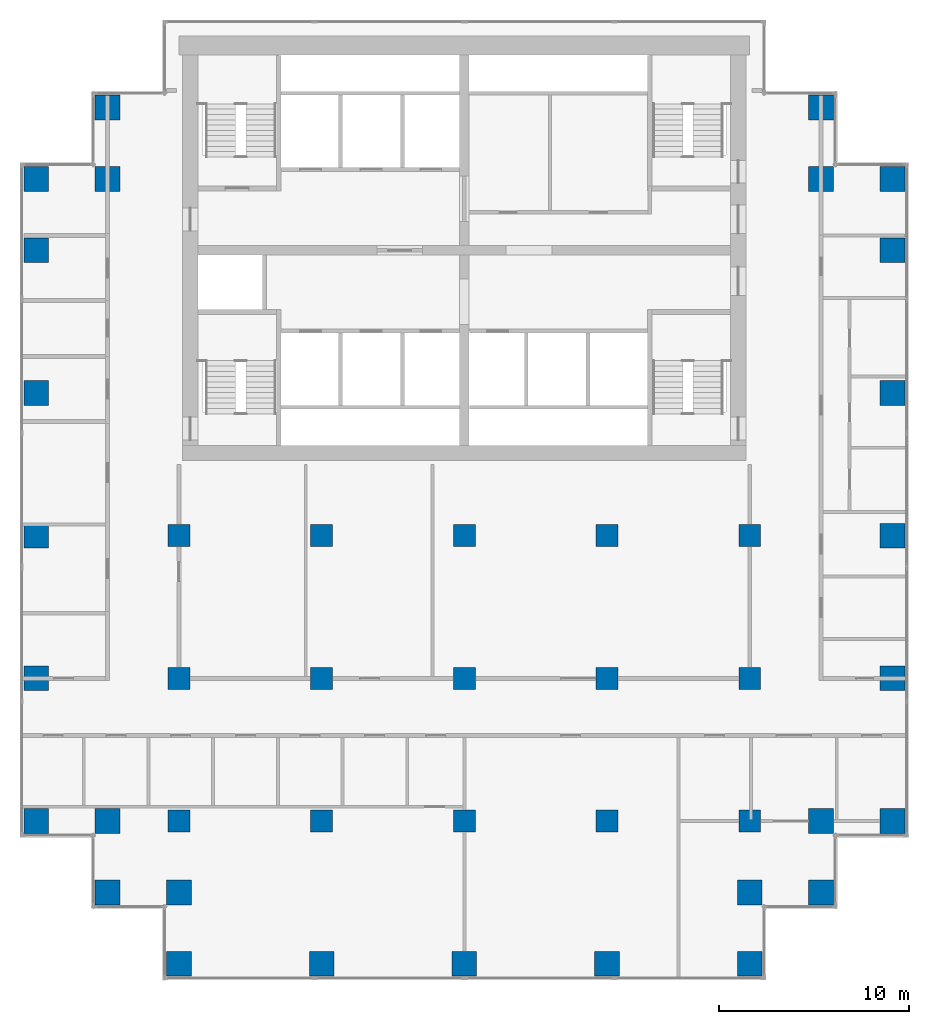
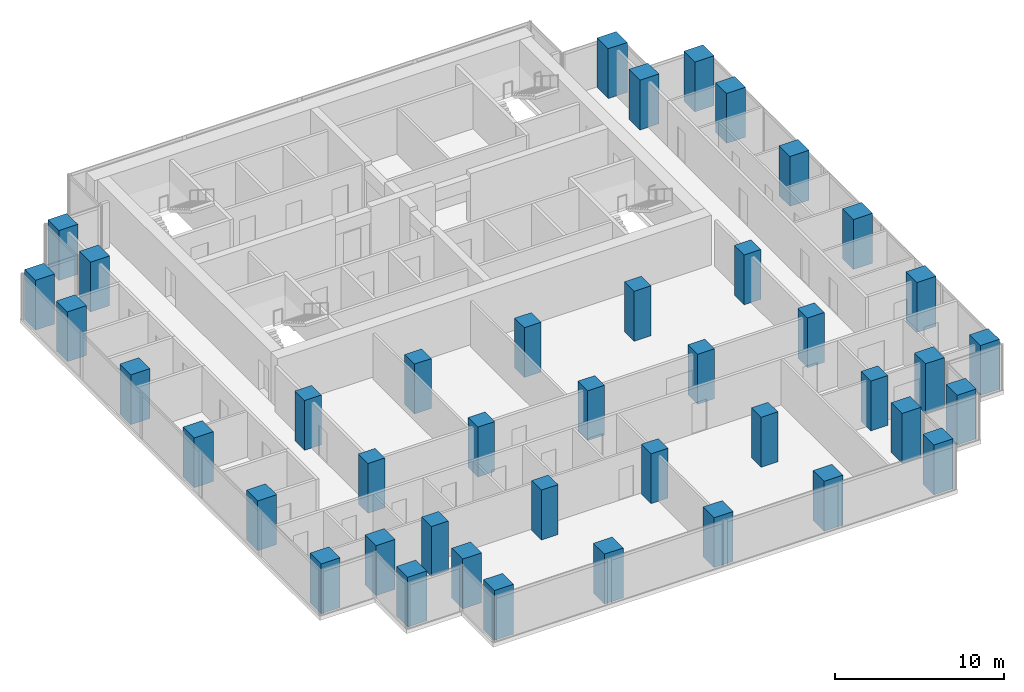
# One storey, part 1 of 11: 42 columns.
"""IFC4 building model written with IfcOpenShell, lengths in metres."""

import ifcopenshell
import ifcopenshell.guid

model = None  # the IFC model being written
_history = None  # IfcOwnerHistory: only IFC2X3 demands one
_inside = {}  # id of a spatial element -> (the spatial element, [elements in it])
_under = {}  # id of a project, library or spatial element -> (it, [spatial elements below it])
_declared = {}  # id of a project -> (the project, [libraries it declares])
_typed = {}  # id of a type object -> (the type object, [elements of that type])
_made_of = {}  # id of a material, layer set ... -> (it, [elements and type objects made of it])


def new_model(schema):
    """Start an empty IFC model of exactly this schema.

    Asked for "IFC4X3", IfcOpenShell would pick the latest addendum, in which some entities
    have other attributes; the version numbers below select the first issue.
    IFC2X3 requires an IfcOwnerHistory on every rooted entity: one is made here for all.
    """
    global model, _history
    if schema == "IFC4X3":
        model = ifcopenshell.file(schema_version=(4, 3, 0, 0))
    else:
        model = ifcopenshell.file(schema=schema)
    _inside.clear()
    _under.clear()
    _declared.clear()
    _typed.clear()
    _made_of.clear()
    _history = None
    if model.schema == "IFC2X3":
        org = make("IfcOrganization", Name="unknown")
        user = make(
            "IfcPersonAndOrganization",
            ThePerson=make("IfcPerson", FamilyName="unknown"),
            TheOrganization=org,
        )
        app = make(
            "IfcApplication",
            ApplicationDeveloper=org,
            Version="unknown",
            ApplicationFullName="unknown",
            ApplicationIdentifier="unknown",
        )
        _history = make(
            "IfcOwnerHistory",
            OwningUser=user,
            OwningApplication=app,
            ChangeAction="ADDED",
            CreationDate=0,
        )
    return model


def make(cls, **values):
    """One entity of the class cls with the attributes given. An attribute that is None is left unset."""
    return model.create_entity(
        cls, **{name: value for name, value in values.items() if value is not None}
    )


def rooted(cls, **values):
    """An entity with a GlobalId (a new one), such as an element, a storey or a relation."""
    return make(cls, GlobalId=ifcopenshell.guid.new(), OwnerHistory=_history, **values)


def si_unit(unit_type, name, prefix=None):
    """IfcSIUnit, for example si_unit("LENGTHUNIT", "METRE", prefix="MILLI")."""
    return make("IfcSIUnit", UnitType=unit_type, Prefix=prefix, Name=name)


def assignment(units):
    """IfcUnitAssignment: the units of a project."""
    return None if units is None else make("IfcUnitAssignment", Units=units)


def point(xyz):
    """IfcCartesianPoint."""
    return None if xyz is None else make("IfcCartesianPoint", Coordinates=xyz)


def direction(xyz):
    """IfcDirection."""
    return None if xyz is None else make("IfcDirection", DirectionRatios=xyz)


def frame(location, z_axis=None, x_axis=None):
    """IfcAxis2Placement3D, a coordinate frame: its origin and axes. An axis left out is left unset."""
    return make(
        "IfcAxis2Placement3D",
        Location=point(location),
        Axis=direction(z_axis),
        RefDirection=direction(x_axis),
    )


def frame_2d(location, x_axis=None):
    """IfcAxis2Placement2D, a coordinate frame in the plane: its origin and x axis."""
    return make(
        "IfcAxis2Placement2D", Location=point(location), RefDirection=direction(x_axis)
    )


def origin():
    """The frame at (0, 0, 0) with its axes left unset."""
    return frame((0.0, 0.0, 0.0))


def origin_2d():
    """The frame at (0, 0) in the plane with its x axis left unset."""
    return frame_2d((0.0, 0.0))


def place(relative_to, where):
    """IfcLocalPlacement: puts the frame where relative to a parent placement (None: the world)."""
    return make(
        "IfcLocalPlacement", PlacementRelTo=relative_to, RelativePlacement=where
    )


def context(
    kind, dimensions, precision=None, world=None, true_north=None, identifier=None
):
    """IfcGeometricRepresentationContext, for example the 3D "Model" context."""
    return make(
        "IfcGeometricRepresentationContext",
        ContextIdentifier=identifier,
        ContextType=kind,
        CoordinateSpaceDimension=dimensions,
        Precision=precision,
        WorldCoordinateSystem=world,
        TrueNorth=true_north,
    )


def subcontext(parent, identifier, kind, view, scale=None):
    """IfcGeometricRepresentationSubContext, for example "Body" below "Model"."""
    return make(
        "IfcGeometricRepresentationSubContext",
        ContextIdentifier=identifier,
        ContextType=kind,
        ParentContext=parent,
        TargetScale=scale,
        TargetView=view,
    )


def project(units=None, contexts=None):
    """IfcProject with its units and contexts."""
    return rooted(
        "IfcProject",
        Name="project",
        RepresentationContexts=contexts,
        UnitsInContext=assignment(units),
    )


def spatial(cls, under=None, at=None, **own):
    """A site, building, storey or space (cls), placed at a placement, below another one or the project."""
    s = rooted(cls, ObjectPlacement=at, **own)
    if under is not None:
        _under.setdefault(under.id(), (under, []))[1].append(s)
    return s


def profile(cls, at=None, kind="AREA", **sizes):
    """A parametric profile (cls). Its sizes go by their IFC names, for example OverallWidth=200.0."""
    return make(cls, ProfileType=kind, Position=at, **sizes)


def rectangle(**sizes):
    """IfcRectangleProfileDef."""
    return profile("IfcRectangleProfileDef", **sizes)


def extrude(swept, where, along, depth):
    """IfcExtrudedAreaSolid: the profile swept, set in the frame where, extruded along a direction by depth."""
    return make(
        "IfcExtrudedAreaSolid",
        SweptArea=swept,
        Position=where,
        ExtrudedDirection=direction(along),
        Depth=depth,
    )


def shape(context_of_items, identifier, shape_type, items):
    """IfcShapeRepresentation: the items that make up one representation, for example the "Body"."""
    return make(
        "IfcShapeRepresentation",
        ContextOfItems=context_of_items,
        RepresentationIdentifier=identifier,
        RepresentationType=shape_type,
        Items=items,
    )


def material(Name=None, Category=None):
    """IfcMaterial."""
    return make("IfcMaterial", Name=Name, Category=Category)


def material_profile(
    of_material, cross_section, Name=None, Category=None, Priority=None
):
    """IfcMaterialProfile: a cross section and its material."""
    return make(
        "IfcMaterialProfile",
        Name=Name,
        Material=of_material,
        Profile=cross_section,
        Priority=Priority,
        Category=Category,
    )


def profile_set(profiles, Name=None, composite=None):
    """IfcMaterialProfileSet."""
    return make(
        "IfcMaterialProfileSet",
        Name=Name,
        MaterialProfiles=profiles,
        CompositeProfile=composite,
    )


def made_of(thing, what):
    """Note that an element or type object is made of a material, layer set ...; save() writes the relation."""
    if what is not None:
        _made_of.setdefault(what.id(), (what, []))[1].append(thing)
    return thing


def type_object(cls, material=None, **own):
    """A type object (cls), such as IfcWallType, which elements share."""
    return made_of(rooted(cls, **own), material)


def element(
    cls,
    number,
    at=None,
    inside=None,
    cuts=None,
    type_object=None,
    material=None,
    context=None,
    identifier="Body",
    shape_type=None,
    held_by="IfcProductDefinitionShape",
    body=None,
    shapes=None,
    **own,
):
    """One element of the class cls, such as IfcWall. Its Tag is "e" and its number.

    at: its placement. inside: the storey or other place that contains it. cuts: it is an
    opening in that element (IfcRelVoidsElement). A single representation is given by context,
    identifier, shape_type and body (its items); several are given by shapes. held_by: the class
    of the entity that holds the representations. save() writes the other relations.
    """
    e = rooted(cls, Tag="e%d" % number, ObjectPlacement=at, **own)
    if body is not None:
        shapes = [shape(context, identifier, shape_type, body)]
    if shapes is not None:
        e.Representation = make(held_by, Representations=shapes)
    if inside is not None:
        _inside.setdefault(inside.id(), (inside, []))[1].append(e)
    if cuts is not None:
        rooted(
            "IfcRelVoidsElement", RelatingBuildingElement=cuts, RelatedOpeningElement=e
        )
    if type_object is not None:
        _typed.setdefault(type_object.id(), (type_object, []))[1].append(e)
    return made_of(e, material)


def aggregate(whole, parts):
    """IfcRelAggregates: a whole, such as a stair, and the parts it consists of."""
    return rooted("IfcRelAggregates", RelatingObject=whole, RelatedObjects=parts)


def save(model, path):
    """Write the relations noted so far, then the file.

    IfcRelAggregates (storeys below a building ...), IfcRelContainedInSpatialStructure (elements
    in a storey), IfcRelDefinesByType, IfcRelAssociatesMaterial and IfcRelDeclares: one each for
    every whole, place, type object, material and project.
    """
    for whole, parts in _under.values():
        aggregate(whole, parts)
    for where, things in _inside.values():
        rooted(
            "IfcRelContainedInSpatialStructure",
            RelatedElements=things,
            RelatingStructure=where,
        )
    for kind, things in _typed.values():
        rooted("IfcRelDefinesByType", RelatedObjects=things, RelatingType=kind)
    for what, things in _made_of.values():
        rooted("IfcRelAssociatesMaterial", RelatedObjects=things, RelatingMaterial=what)
    for by, libraries in _declared.values():
        rooted("IfcRelDeclares", RelatingContext=by, RelatedDefinitions=libraries)
    model.write(path)


model = new_model("IFC4")

# Units and contexts
model_context = context("Model", 3, precision=1e-05, world=origin(), true_north=direction((0.0, 1.0)))
body_context = subcontext(model_context, "Body", "Model", "MODEL_VIEW")
ifc_project = project(units=[si_unit("LENGTHUNIT", "METRE"), si_unit("AREAUNIT", "SQUARE_METRE"), si_unit("VOLUMEUNIT", "CUBIC_METRE"), si_unit("PLANEANGLEUNIT", "RADIAN"), si_unit("MASSUNIT", "GRAM", prefix="KILO")], contexts=[model_context])

# Site, building, storey
site_placement = place(None, origin())
site = spatial("IfcSite", under=ifc_project, at=site_placement, CompositionType="ELEMENT")
building_placement = place(site_placement, origin())
building = spatial("IfcBuilding", under=site, at=building_placement, Name="Pilkhan Gate Tower", CompositionType="ELEMENT")
storey_placement = place(building_placement, frame((0.0, 0.0, 121.60009765625)))
storey = spatial("IfcBuildingStorey", under=building, at=storey_placement, Name="L30", CompositionType="ELEMENT", Elevation=121.60009765625)

# Columns
ifc_material = material(Name="Concrete C60/75", Category="concrete")
ifc_material_profile_1 = material_profile(ifc_material, rectangle(XDim=1.14990234375, YDim=1.14990234375, at=origin_2d()), Name="RC 1150x1150")
ifc_profile_set_1 = profile_set([ifc_material_profile_1], Name="Concrete C60/75")
column_type_1 = type_object("IfcColumnType", Name="Column C115 RC 1150x1150 C60/75", PredefinedType="COLUMN", material=ifc_profile_set_1)
for number, where, z_axis, x_axis, name in (
    (1, (60.0, 52.5, 0.0), (0.0, 0.0, 1.0), (1.0, 0.0, 0.0), "Column 7/D L30"),
    (2, (60.0, 60.0, 0.0), (0.0, 0.0, 1.0), (1.0, 0.0, 0.0), "Column 7/F L30"),
    (3, (60.0, 67.5, 0.0), (0.0, 0.0, 1.0), (1.0, 0.0, 0.0), "Column 7/H L30"),
    (4, (67.5, 52.5, 0.0), (0.0, 0.0, 1.0), (1.0, 0.0, 0.0), "Column 9/D L30"),
    (5, (67.5, 60.0, 0.0), (0.0, 0.0, 1.0), (1.0, 0.0, 0.0), "Column 9/F L30"),
    (6, (67.5, 67.5, 0.0), (0.0, 0.0, 1.0), (1.0, 0.0, 0.0), "Column 9/H L30"),
    (7, (75.0, 52.5, 0.0), (0.0, 0.0, 1.0), (1.0, 0.0, 0.0), "Column 11/D L30"),
    (8, (75.0, 60.0, 0.0), (0.0, 0.0, 1.0), (1.0, 0.0, 0.0), "Column 11/F L30"),
    (9, (75.0, 67.5, 0.0), (0.0, 0.0, 1.0), (1.0, 0.0, 0.0), "Column 11/H L30"),
    (10, (82.5, 52.5, 0.0), (0.0, 0.0, 1.0), (1.0, 0.0, 0.0), "Column 13/D L30"),
    (11, (82.5, 60.0, 0.0), (0.0, 0.0, 1.0), (1.0, 0.0, 0.0), "Column 13/F L30"),
    (12, (82.5, 67.5, 0.0), (0.0, 0.0, 1.0), (1.0, 0.0, 0.0), "Column 13/H L30"),
    (13, (90.0, 52.5, 0.0), (0.0, 0.0, 1.0), (1.0, 0.0, 0.0), "Column 15/D L30"),
    (14, (90.0, 60.0, 0.0), (0.0, 0.0, 1.0), (1.0, 0.0, 0.0), "Column 15/F L30"),
    (15, (90.0, 67.5, 0.0), (0.0, 0.0, 1.0), (1.0, 0.0, 0.0), "Column 15/H L30"),
):
    element("IfcColumn", number, at=place(storey_placement, frame(where, z_axis=z_axis, x_axis=x_axis)), inside=storey, type_object=column_type_1, Name=name, PredefinedType="COLUMN", context=body_context, shape_type="SweptSolid", body=[
        extrude(rectangle(XDim=1.14990234375, YDim=1.14990234375, at=origin_2d()), origin(), (0.0, 0.0, 1.0), 3.599853515625),
    ])
ifc_material_profile_2 = material_profile(ifc_material, rectangle(XDim=1.300048828125, YDim=1.300048828125, at=origin_2d()), Name="RC 1300x1300")
ifc_profile_set_2 = profile_set([ifc_material_profile_2], Name="Concrete C60/75")
column_type_2 = type_object("IfcColumnType", Name="Column C130 RC 1300x1300 C60/75", PredefinedType="COLUMN", material=ifc_profile_set_2)
for number, where, z_axis, x_axis, name in (
    (16, (52.5, 52.5, 0.0), (0.0, 0.0, 1.0), (1.0, 0.0, 0.0), "Column 5/D L30"),
    (17, (52.5, 60.0, 0.0), (0.0, 0.0, 1.0), (1.0, 0.0, 0.0), "Column 5/F L30"),
    (18, (52.5, 67.5, 0.0), (0.0, 0.0, 1.0), (1.0, 0.0, 0.0), "Column 5/H L30"),
    (19, (52.5, 75.0, 0.0), (0.0, 0.0, 1.0), (1.0, 0.0, 0.0), "Column 5/K L30"),
    (20, (52.5, 82.5, 0.0), (0.0, 0.0, 1.0), (1.0, 0.0, 0.0), "Column 5/M L30"),
    (21, (52.5, 86.25, 0.0), (0.0, 0.0, 1.0), (1.0, 0.0, 0.0), "Column 5/N L30"),
    (22, (56.25, 48.75, 0.0), (0.0, 0.0, 1.0), (1.0, 0.0, 0.0), "Column 6/C L30"),
    (23, (56.25, 52.5, 0.0), (0.0, 0.0, 1.0), (1.0, 0.0, 0.0), "Column 6/D L30"),
    (24, (56.25, 86.25, 0.0), (0.0, 0.0, 1.0), (1.0, 0.0, 0.0), "Column 6/N L30"),
    (25, (56.25, 90.0, 0.0), (0.0, 0.0, 1.0), (1.0, 0.0, 0.0), "Column 6/P L30"),
    (26, (60.0, 45.0, 0.0), (0.0, 0.0, 1.0), (1.0, 0.0, 0.0), "Column 7/B L30"),
    (27, (60.0, 48.75, 0.0), (0.0, 0.0, 1.0), (1.0, 0.0, 0.0), "Column 7/C L30"),
    (28, (67.5, 45.0, 0.0), (0.0, 0.0, 1.0), (1.0, 0.0, 0.0), "Column 9/B L30"),
    (29, (75.0, 45.0, 0.0), (0.0, 0.0, 1.0), (1.0, 0.0, 0.0), "Column 11/B L30"),
    (30, (82.5, 45.0, 0.0), (0.0, 0.0, 1.0), (1.0, 0.0, 0.0), "Column 13/B L30"),
    (31, (90.0, 45.0, 0.0), (0.0, 0.0, 1.0), (1.0, 0.0, 0.0), "Column 15/B L30"),
    (32, (90.0, 48.75, 0.0), (0.0, 0.0, 1.0), (1.0, 0.0, 0.0), "Column 15/C L30"),
    (33, (93.75, 48.75, 0.0), (0.0, 0.0, 1.0), (1.0, 0.0, 0.0), "Column 16/C L30"),
    (34, (93.75, 52.5, 0.0), (0.0, 0.0, 1.0), (1.0, 0.0, 0.0), "Column 16/D L30"),
    (35, (93.75, 86.25, 0.0), (0.0, 0.0, 1.0), (1.0, 0.0, 0.0), "Column 16/N L30"),
    (36, (93.75, 90.0, 0.0), (0.0, 0.0, 1.0), (1.0, 0.0, 0.0), "Column 16/P L30"),
    (37, (97.5, 52.5, 0.0), (0.0, 0.0, 1.0), (1.0, 0.0, 0.0), "Column 17/D L30"),
    (38, (97.5, 60.0, 0.0), (0.0, 0.0, 1.0), (1.0, 0.0, 0.0), "Column 17/F L30"),
    (39, (97.5, 67.5, 0.0), (0.0, 0.0, 1.0), (1.0, 0.0, 0.0), "Column 17/H L30"),
    (40, (97.5, 75.0, 0.0), (0.0, 0.0, 1.0), (1.0, 0.0, 0.0), "Column 17/K L30"),
    (41, (97.5, 82.5, 0.0), (0.0, 0.0, 1.0), (1.0, 0.0, 0.0), "Column 17/M L30"),
    (42, (97.5, 86.25, 0.0), (0.0, 0.0, 1.0), (1.0, 0.0, 0.0), "Column 17/N L30"),
):
    element("IfcColumn", number, at=place(storey_placement, frame(where, z_axis=z_axis, x_axis=x_axis)), inside=storey, type_object=column_type_2, Name=name, PredefinedType="COLUMN", context=body_context, shape_type="SweptSolid", body=[
        extrude(rectangle(XDim=1.300048828125, YDim=1.300048828125, at=origin_2d()), origin(), (0.0, 0.0, 1.0), 3.599853515625),
    ])

save(model, "model.ifc")
